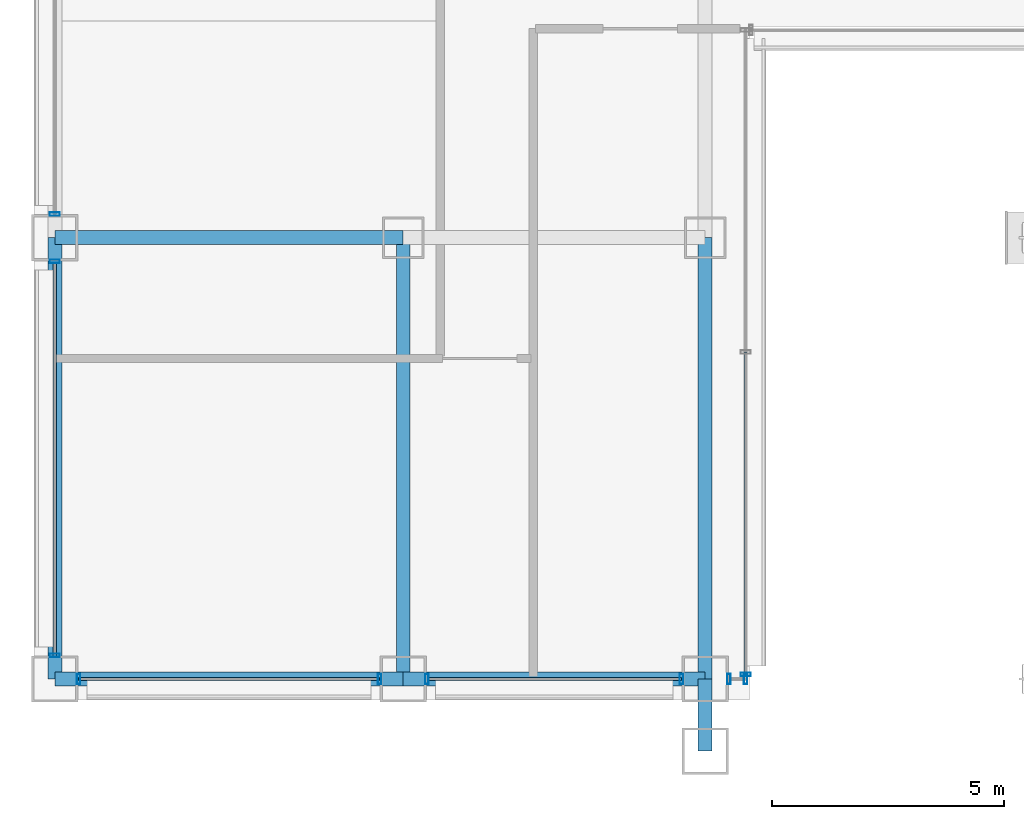
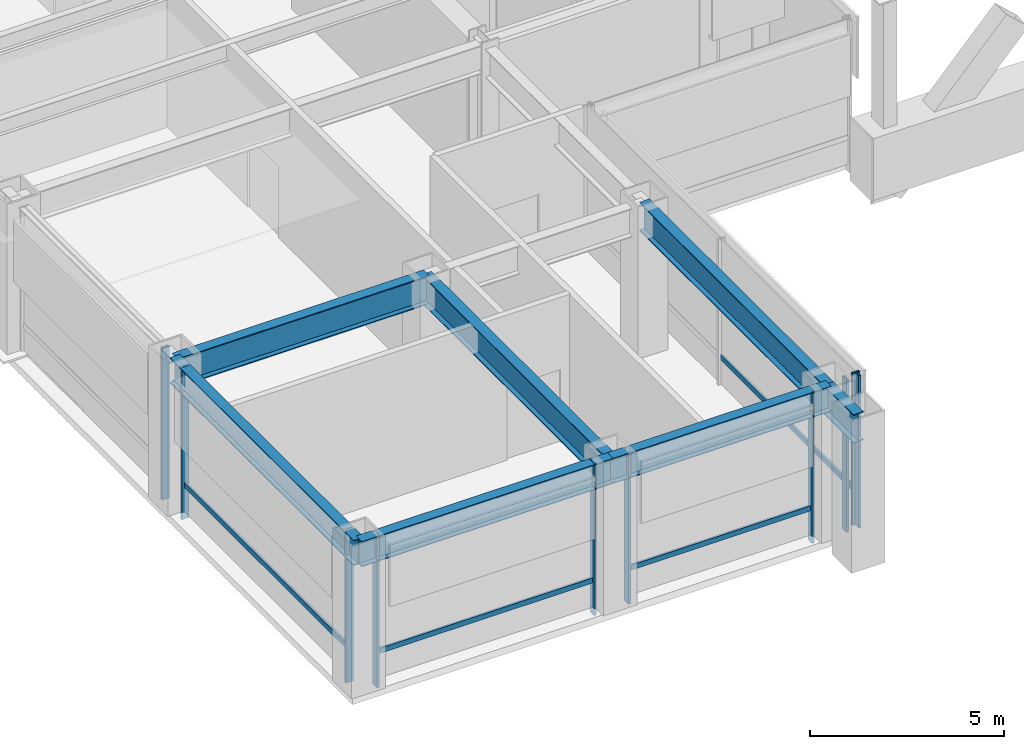
# One storey, part 2 of 42: 14 members, 7 beams, 6 elements without a shape of their own.
"""IFC4 building model written with IfcOpenShell, lengths in metres."""

import ifcopenshell
import ifcopenshell.guid

model = None  # the IFC model being written
_history = None  # IfcOwnerHistory: only IFC2X3 demands one
_inside = {}  # id of a spatial element -> (the spatial element, [elements in it])
_under = {}  # id of a project, library or spatial element -> (it, [spatial elements below it])
_declared = {}  # id of a project -> (the project, [libraries it declares])
_typed = {}  # id of a type object -> (the type object, [elements of that type])
_made_of = {}  # id of a material, layer set ... -> (it, [elements and type objects made of it])


def new_model(schema):
    """Start an empty IFC model of exactly this schema.

    Asked for "IFC4X3", IfcOpenShell would pick the latest addendum, in which some entities
    have other attributes; the version numbers below select the first issue.
    IFC2X3 requires an IfcOwnerHistory on every rooted entity: one is made here for all.
    """
    global model, _history
    if schema == "IFC4X3":
        model = ifcopenshell.file(schema_version=(4, 3, 0, 0))
    else:
        model = ifcopenshell.file(schema=schema)
    _inside.clear()
    _under.clear()
    _declared.clear()
    _typed.clear()
    _made_of.clear()
    _history = None
    if model.schema == "IFC2X3":
        org = make("IfcOrganization", Name="unknown")
        user = make(
            "IfcPersonAndOrganization",
            ThePerson=make("IfcPerson", FamilyName="unknown"),
            TheOrganization=org,
        )
        app = make(
            "IfcApplication",
            ApplicationDeveloper=org,
            Version="unknown",
            ApplicationFullName="unknown",
            ApplicationIdentifier="unknown",
        )
        _history = make(
            "IfcOwnerHistory",
            OwningUser=user,
            OwningApplication=app,
            ChangeAction="ADDED",
            CreationDate=0,
        )
    return model


def make(cls, **values):
    """One entity of the class cls with the attributes given. An attribute that is None is left unset."""
    return model.create_entity(
        cls, **{name: value for name, value in values.items() if value is not None}
    )


def rooted(cls, **values):
    """An entity with a GlobalId (a new one), such as an element, a storey or a relation."""
    return make(cls, GlobalId=ifcopenshell.guid.new(), OwnerHistory=_history, **values)


def si_unit(unit_type, name, prefix=None):
    """IfcSIUnit, for example si_unit("LENGTHUNIT", "METRE", prefix="MILLI")."""
    return make("IfcSIUnit", UnitType=unit_type, Prefix=prefix, Name=name)


def assignment(units):
    """IfcUnitAssignment: the units of a project."""
    return None if units is None else make("IfcUnitAssignment", Units=units)


def point(xyz):
    """IfcCartesianPoint."""
    return None if xyz is None else make("IfcCartesianPoint", Coordinates=xyz)


def direction(xyz):
    """IfcDirection."""
    return None if xyz is None else make("IfcDirection", DirectionRatios=xyz)


def frame(location, z_axis=None, x_axis=None):
    """IfcAxis2Placement3D, a coordinate frame: its origin and axes. An axis left out is left unset."""
    return make(
        "IfcAxis2Placement3D",
        Location=point(location),
        Axis=direction(z_axis),
        RefDirection=direction(x_axis),
    )


def frame_2d(location, x_axis=None):
    """IfcAxis2Placement2D, a coordinate frame in the plane: its origin and x axis."""
    return make(
        "IfcAxis2Placement2D", Location=point(location), RefDirection=direction(x_axis)
    )


def origin():
    """The frame at (0, 0, 0) with its axes left unset."""
    return frame((0.0, 0.0, 0.0))


def origin_2d():
    """The frame at (0, 0) in the plane with its x axis left unset."""
    return frame_2d((0.0, 0.0))


def place(relative_to, where):
    """IfcLocalPlacement: puts the frame where relative to a parent placement (None: the world)."""
    return make(
        "IfcLocalPlacement", PlacementRelTo=relative_to, RelativePlacement=where
    )


def context(
    kind, dimensions, precision=None, world=None, true_north=None, identifier=None
):
    """IfcGeometricRepresentationContext, for example the 3D "Model" context."""
    return make(
        "IfcGeometricRepresentationContext",
        ContextIdentifier=identifier,
        ContextType=kind,
        CoordinateSpaceDimension=dimensions,
        Precision=precision,
        WorldCoordinateSystem=world,
        TrueNorth=true_north,
    )


def subcontext(parent, identifier, kind, view, scale=None):
    """IfcGeometricRepresentationSubContext, for example "Body" below "Model"."""
    return make(
        "IfcGeometricRepresentationSubContext",
        ContextIdentifier=identifier,
        ContextType=kind,
        ParentContext=parent,
        TargetScale=scale,
        TargetView=view,
    )


def project(units=None, contexts=None):
    """IfcProject with its units and contexts."""
    return rooted(
        "IfcProject",
        Name="project",
        RepresentationContexts=contexts,
        UnitsInContext=assignment(units),
    )


def spatial(cls, under=None, at=None, **own):
    """A site, building, storey or space (cls), placed at a placement, below another one or the project."""
    s = rooted(cls, ObjectPlacement=at, **own)
    if under is not None:
        _under.setdefault(under.id(), (under, []))[1].append(s)
    return s


def profile(cls, at=None, kind="AREA", **sizes):
    """A parametric profile (cls). Its sizes go by their IFC names, for example OverallWidth=200.0."""
    return make(cls, ProfileType=kind, Position=at, **sizes)


def hollow_rectangle(**sizes):
    """IfcRectangleHollowProfileDef."""
    return profile("IfcRectangleHollowProfileDef", **sizes)


def i_section(**sizes):
    """IfcIShapeProfileDef."""
    return profile("IfcIShapeProfileDef", **sizes)


def extrude(swept, where, along, depth):
    """IfcExtrudedAreaSolid: the profile swept, set in the frame where, extruded along a direction by depth."""
    return make(
        "IfcExtrudedAreaSolid",
        SweptArea=swept,
        Position=where,
        ExtrudedDirection=direction(along),
        Depth=depth,
    )


def shape(context_of_items, identifier, shape_type, items):
    """IfcShapeRepresentation: the items that make up one representation, for example the "Body"."""
    return make(
        "IfcShapeRepresentation",
        ContextOfItems=context_of_items,
        RepresentationIdentifier=identifier,
        RepresentationType=shape_type,
        Items=items,
    )


def material(Name=None, Category=None):
    """IfcMaterial."""
    return make("IfcMaterial", Name=Name, Category=Category)


def layer(
    of_material, thickness, ventilated=None, Name=None, Category=None, Priority=None
):
    """IfcMaterialLayer: one layer of a wall or slab, of a material (None: an air gap)."""
    return make(
        "IfcMaterialLayer",
        Material=of_material,
        LayerThickness=thickness,
        IsVentilated=ventilated,
        Name=Name,
        Category=Category,
        Priority=Priority,
    )


def layer_set(layers, Name=None):
    """IfcMaterialLayerSet."""
    return make("IfcMaterialLayerSet", MaterialLayers=layers, LayerSetName=Name)


def material_profile(
    of_material, cross_section, Name=None, Category=None, Priority=None
):
    """IfcMaterialProfile: a cross section and its material."""
    return make(
        "IfcMaterialProfile",
        Name=Name,
        Material=of_material,
        Profile=cross_section,
        Priority=Priority,
        Category=Category,
    )


def profile_set(profiles, Name=None, composite=None):
    """IfcMaterialProfileSet."""
    return make(
        "IfcMaterialProfileSet",
        Name=Name,
        MaterialProfiles=profiles,
        CompositeProfile=composite,
    )


def made_of(thing, what):
    """Note that an element or type object is made of a material, layer set ...; save() writes the relation."""
    if what is not None:
        _made_of.setdefault(what.id(), (what, []))[1].append(thing)
    return thing


def type_object(cls, material=None, **own):
    """A type object (cls), such as IfcWallType, which elements share."""
    return made_of(rooted(cls, **own), material)


def element(
    cls,
    number,
    at=None,
    inside=None,
    cuts=None,
    type_object=None,
    material=None,
    context=None,
    identifier="Body",
    shape_type=None,
    held_by="IfcProductDefinitionShape",
    body=None,
    shapes=None,
    **own,
):
    """One element of the class cls, such as IfcWall. Its Tag is "e" and its number.

    at: its placement. inside: the storey or other place that contains it. cuts: it is an
    opening in that element (IfcRelVoidsElement). A single representation is given by context,
    identifier, shape_type and body (its items); several are given by shapes. held_by: the class
    of the entity that holds the representations. save() writes the other relations.
    """
    e = rooted(cls, Tag="e%d" % number, ObjectPlacement=at, **own)
    if body is not None:
        shapes = [shape(context, identifier, shape_type, body)]
    if shapes is not None:
        e.Representation = make(held_by, Representations=shapes)
    if inside is not None:
        _inside.setdefault(inside.id(), (inside, []))[1].append(e)
    if cuts is not None:
        rooted(
            "IfcRelVoidsElement", RelatingBuildingElement=cuts, RelatedOpeningElement=e
        )
    if type_object is not None:
        _typed.setdefault(type_object.id(), (type_object, []))[1].append(e)
    return made_of(e, material)


def aggregate(whole, parts):
    """IfcRelAggregates: a whole, such as a stair, and the parts it consists of."""
    return rooted("IfcRelAggregates", RelatingObject=whole, RelatedObjects=parts)


def save(model, path):
    """Write the relations noted so far, then the file.

    IfcRelAggregates (storeys below a building ...), IfcRelContainedInSpatialStructure (elements
    in a storey), IfcRelDefinesByType, IfcRelAssociatesMaterial and IfcRelDeclares: one each for
    every whole, place, type object, material and project.
    """
    for whole, parts in _under.values():
        aggregate(whole, parts)
    for where, things in _inside.values():
        rooted(
            "IfcRelContainedInSpatialStructure",
            RelatedElements=things,
            RelatingStructure=where,
        )
    for kind, things in _typed.values():
        rooted("IfcRelDefinesByType", RelatedObjects=things, RelatingType=kind)
    for what, things in _made_of.values():
        rooted("IfcRelAssociatesMaterial", RelatedObjects=things, RelatingMaterial=what)
    for by, libraries in _declared.values():
        rooted("IfcRelDeclares", RelatingContext=by, RelatedDefinitions=libraries)
    model.write(path)


model = new_model("IFC4")

# Units and contexts
model_context = context("Model", 3, precision=1e-05, world=origin(), true_north=direction((0.0, 1.0)))
body_context = subcontext(model_context, "Body", "Model", "MODEL_VIEW")
ifc_project = project(units=[si_unit("LENGTHUNIT", "METRE"), si_unit("AREAUNIT", "SQUARE_METRE"), si_unit("VOLUMEUNIT", "CUBIC_METRE"), si_unit("PLANEANGLEUNIT", "RADIAN"), si_unit("MASSUNIT", "GRAM", prefix="KILO")], contexts=[model_context])

# Site, building, storey
site_placement = place(None, origin())
site = spatial("IfcSite", under=ifc_project, at=site_placement, CompositionType="ELEMENT")
building_placement = place(site_placement, origin())
building = spatial("IfcBuilding", under=site, at=building_placement, Name="Brelmoor Portico Tower", CompositionType="ELEMENT")
storey_placement = place(building_placement, frame((0.0, 0.0, 9.60009765625)))
storey = spatial("IfcBuildingStorey", under=building, at=storey_placement, Name="L02", CompositionType="ELEMENT", Elevation=9.60009765625)

# Beams
ifc_material_1 = material(Name="Steel Q355B", Category="steel")
ifc_material_profile_1 = material_profile(ifc_material_1, i_section(OverallWidth=0.300048828125, OverallDepth=0.89990234375, WebThickness=0.01611328125, FlangeThickness=0.028076171875, at=origin_2d()), Name="HN 900x300x16x28")
ifc_profile_set_1 = profile_set([ifc_material_profile_1], Name="Steel Q355B")
beam_type_1 = type_object("IfcBeamType", Name="BM-PG-900", PredefinedType="BEAM", material=ifc_profile_set_1)
beam_1_placement = place(storey_placement, frame((-21.050048828125, -27.550048828125, 4.1298828125), z_axis=(0.0, 1.0, 0.0), x_axis=(-1.0, 0.0, 0.0)))
element("IfcBeam", 1, at=beam_1_placement, inside=storey, type_object=beam_type_1, Name="L02 Primary Floor Girder PG-01", PredefinedType="BEAM", context=body_context, shape_type="SweptSolid", body=[
    extrude(i_section(OverallWidth=0.300048828125, OverallDepth=0.89990234375, WebThickness=0.01611328125, FlangeThickness=0.028076171875, at=origin_2d()), origin(), (0.0, 0.0, 1.0), 9.5),
])
beam_2_placement = place(storey_placement, frame((-14.550048828125, -29.10009765625, 4.1298828125), z_axis=(0.0, 1.0, 0.0), x_axis=(-1.0, 0.0, 0.0)))
element("IfcBeam", 2, at=beam_2_placement, inside=storey, type_object=beam_type_1, Name="L02 Primary Floor Girder PG-03", PredefinedType="BEAM", context=body_context, shape_type="SweptSolid", body=[
    extrude(i_section(OverallWidth=0.300048828125, OverallDepth=0.89990234375, WebThickness=0.01611328125, FlangeThickness=0.028076171875, at=origin_2d()), origin(), (0.0, 0.0, 1.0), 1.550048828125),
])
beam_3_placement = place(storey_placement, frame((-14.550048828125, -27.550048828125, 4.1298828125), z_axis=(0.0, 1.0, 0.0), x_axis=(-1.0, 0.0, 0.0)))
element("IfcBeam", 3, at=beam_3_placement, inside=storey, type_object=beam_type_1, Name="L02 Primary Floor Girder PG-04", PredefinedType="BEAM", context=body_context, shape_type="SweptSolid", body=[
    extrude(i_section(OverallWidth=0.300048828125, OverallDepth=0.89990234375, WebThickness=0.01611328125, FlangeThickness=0.028076171875, at=origin_2d()), origin(), (0.0, 0.0, 1.0), 9.5),
])
beam_4_placement = place(storey_placement, frame((-28.550048828125, -18.050048828125, 4.1298828125), z_axis=(1.0, 0.0, 0.0), x_axis=(0.0, 1.0, 0.0)))
element("IfcBeam", 4, at=beam_4_placement, inside=storey, type_object=beam_type_1, Name="L02 Primary Floor Girder PG-21", PredefinedType="BEAM", context=body_context, shape_type="SweptSolid", body=[
    extrude(i_section(OverallWidth=0.300048828125, OverallDepth=0.89990234375, WebThickness=0.01611328125, FlangeThickness=0.028076171875, at=origin_2d()), origin(), (0.0, 0.0, 1.0), 7.5),
])
ifc_material_profile_2 = material_profile(ifc_material_1, i_section(OverallWidth=0.300048828125, OverallDepth=0.800048828125, WebThickness=0.013916015625, FlangeThickness=0.02587890625, at=origin_2d()), Name="HN 800x300x14x26")
ifc_profile_set_2 = profile_set([ifc_material_profile_2], Name="Steel Q355B")
beam_type_2 = type_object("IfcBeamType", Name="BM-SP-800", PredefinedType="SPANDREL", material=ifc_profile_set_2)
beam_5_placement = place(storey_placement, frame((-28.550048828125, -27.550048828125, 4.179931640625), z_axis=(1.0, 0.0, 0.0), x_axis=(0.0, 1.0, 0.0)))
element("IfcBeam", 5, at=beam_5_placement, inside=storey, type_object=beam_type_2, Name="L02 Perimeter Spandrel Beam SP-01", PredefinedType="SPANDREL", context=body_context, shape_type="SweptSolid", body=[
    extrude(i_section(OverallWidth=0.300048828125, OverallDepth=0.800048828125, WebThickness=0.013916015625, FlangeThickness=0.02587890625, at=origin_2d()), origin(), (0.0, 0.0, 1.0), 7.5),
])
beam_6_placement = place(storey_placement, frame((-21.050048828125, -27.550048828125, 4.179931640625), z_axis=(1.0, 0.0, 0.0), x_axis=(0.0, 1.0, 0.0)))
element("IfcBeam", 6, at=beam_6_placement, inside=storey, type_object=beam_type_2, Name="L02 Perimeter Spandrel Beam SP-02", PredefinedType="SPANDREL", context=body_context, shape_type="SweptSolid", body=[
    extrude(i_section(OverallWidth=0.300048828125, OverallDepth=0.800048828125, WebThickness=0.013916015625, FlangeThickness=0.02587890625, at=origin_2d()), origin(), (0.0, 0.0, 1.0), 6.5),
])
beam_7_placement = place(storey_placement, frame((-28.550048828125, -27.550048828125, 4.179931640625), z_axis=(0.0, 1.0, 0.0), x_axis=(-1.0, 0.0, 0.0)))
element("IfcBeam", 7, at=beam_7_placement, inside=storey, type_object=beam_type_2, Name="L02 Perimeter Spandrel Beam SP-09", PredefinedType="SPANDREL", context=body_context, shape_type="SweptSolid", body=[
    extrude(i_section(OverallWidth=0.300048828125, OverallDepth=0.800048828125, WebThickness=0.013916015625, FlangeThickness=0.02587890625, at=origin_2d()), origin(), (0.0, 0.0, 1.0), 9.5),
])

# Curtain wall, members
ifc_material_2 = material(Name="Anodised Aluminium Alloy 6063-T6", Category="aluminium")
ifc_layer = layer(ifc_material_2, 0.179931640625)
ifc_layer_set = layer_set([ifc_layer], Name="Anodised Aluminium Alloy 6063-T6")
curtain_wall_type = type_object("IfcCurtainWallType", Name="CW-PODIUM-ARCH", PredefinedType="NOTDEFINED", material=ifc_layer_set)
curtain_wall_1_placement = place(storey_placement, origin())
curtain_wall_1 = element("IfcCurtainWall", 8, at=curtain_wall_1_placement, inside=storey, type_object=curtain_wall_type, Name="L02 Curtain Wall CW-L02-01-1", PredefinedType="NOTDEFINED")
ifc_material_profile_3 = material_profile(ifc_material_2, hollow_rectangle(XDim=0.074951171875, YDim=0.219970703125, WallThickness=0.0048828125, at=origin_2d()), Name="ALU MULLION 75x220")
ifc_profile_set_3 = profile_set([ifc_material_profile_3], Name="Anodised Aluminium Alloy 6063-T6")
member_type_1 = type_object("IfcMemberType", Name="MB-CW-MULL-220", PredefinedType="MULLION", material=ifc_profile_set_3)
member_1_placement = place(storey_placement, frame((-28.0400390625, -27.550048828125, -0.22021484375), z_axis=(0.0, 0.0, 1.0), x_axis=(1.0, 0.0, 0.0)))
member_1 = element("IfcMember", 9, at=member_1_placement, type_object=member_type_1, Name="CW-L02-01-1 Mullion 00", PredefinedType="MULLION", context=body_context, shape_type="SweptSolid", body=[
    extrude(hollow_rectangle(XDim=0.074951171875, YDim=0.219970703125, WallThickness=0.0048828125, at=origin_2d()), origin(), (0.0, 0.0, 1.0), 4.800048828125),
])
member_2_placement = place(storey_placement, frame((-21.56005859375, -27.550048828125, -0.22021484375), z_axis=(0.0, 0.0, 1.0), x_axis=(1.0, 0.0, 0.0)))
member_2 = element("IfcMember", 10, at=member_2_placement, type_object=member_type_1, Name="CW-L02-01-1 Mullion 01", PredefinedType="MULLION", context=body_context, shape_type="SweptSolid", body=[
    extrude(hollow_rectangle(XDim=0.074951171875, YDim=0.219970703125, WallThickness=0.0048828125, at=origin_2d()), origin(), (0.0, 0.0, 1.0), 4.800048828125),
])

curtain_wall_2_placement = place(storey_placement, origin())
curtain_wall_2 = element("IfcCurtainWall", 11, at=curtain_wall_2_placement, inside=storey, type_object=curtain_wall_type, Name="L02 Curtain Wall CW-L02-01-2", PredefinedType="NOTDEFINED")
member_3_placement = place(storey_placement, frame((-20.5400390625, -27.550048828125, -0.22021484375), z_axis=(0.0, 0.0, 1.0), x_axis=(1.0, 0.0, 0.0)))
member_3 = element("IfcMember", 12, at=member_3_placement, type_object=member_type_1, Name="CW-L02-01-2 Mullion 00", PredefinedType="MULLION", context=body_context, shape_type="SweptSolid", body=[
    extrude(hollow_rectangle(XDim=0.074951171875, YDim=0.219970703125, WallThickness=0.0048828125, at=origin_2d()), origin(), (0.0, 0.0, 1.0), 4.800048828125),
])
member_4_placement = place(storey_placement, frame((-15.06005859375, -27.550048828125, -0.22021484375), z_axis=(0.0, 0.0, 1.0), x_axis=(1.0, 0.0, 0.0)))
member_4 = element("IfcMember", 13, at=member_4_placement, type_object=member_type_1, Name="CW-L02-01-2 Mullion 01", PredefinedType="MULLION", context=body_context, shape_type="SweptSolid", body=[
    extrude(hollow_rectangle(XDim=0.074951171875, YDim=0.219970703125, WallThickness=0.0048828125, at=origin_2d()), origin(), (0.0, 0.0, 1.0), 4.800048828125),
])

curtain_wall_3_placement = place(storey_placement, origin())
curtain_wall_3 = element("IfcCurtainWall", 14, at=curtain_wall_3_placement, inside=storey, type_object=curtain_wall_type, Name="L02 Curtain Wall CW-L02-01-3", PredefinedType="NOTDEFINED")
member_5_placement = place(storey_placement, frame((-14.0400390625, -27.550048828125, -0.22021484375), z_axis=(0.0, 0.0, 1.0), x_axis=(1.0, 0.0, 0.0)))
member_5 = element("IfcMember", 15, at=member_5_placement, type_object=member_type_1, Name="CW-L02-01-3 Mullion 00", PredefinedType="MULLION", context=body_context, shape_type="SweptSolid", body=[
    extrude(hollow_rectangle(XDim=0.074951171875, YDim=0.219970703125, WallThickness=0.0048828125, at=origin_2d()), origin(), (0.0, 0.0, 1.0), 4.800048828125),
])
member_6_placement = place(storey_placement, frame((-13.679931640625, -27.550048828125, -0.22021484375), z_axis=(0.0, 0.0, 1.0), x_axis=(1.0, 0.0, 0.0)))
member_6 = element("IfcMember", 16, at=member_6_placement, type_object=member_type_1, Name="CW-L02-01-3 Mullion 01", PredefinedType="MULLION", context=body_context, shape_type="SweptSolid", body=[
    extrude(hollow_rectangle(XDim=0.074951171875, YDim=0.219970703125, WallThickness=0.0048828125, at=origin_2d()), origin(), (0.0, 0.0, 1.0), 4.800048828125),
])
aggregate(curtain_wall_3, [member_5, member_6])

curtain_wall_4_placement = place(storey_placement, origin())
curtain_wall_4 = element("IfcCurtainWall", 17, at=curtain_wall_4_placement, inside=storey, type_object=curtain_wall_type, Name="L02 Curtain Wall CW-L02-05-1", PredefinedType="NOTDEFINED")
member_7_placement = place(storey_placement, frame((-28.550048828125, -27.0400390625, -0.22021484375), z_axis=(0.0, 0.0, 1.0), x_axis=(0.0, 1.0, 0.0)))
member_7 = element("IfcMember", 18, at=member_7_placement, type_object=member_type_1, Name="CW-L02-05-1 Mullion 00", PredefinedType="MULLION", context=body_context, shape_type="SweptSolid", body=[
    extrude(hollow_rectangle(XDim=0.074951171875, YDim=0.219970703125, WallThickness=0.0048828125, at=origin_2d()), origin(), (0.0, 0.0, 1.0), 4.800048828125),
])
member_8_placement = place(storey_placement, frame((-28.550048828125, -18.56005859375, -0.22021484375), z_axis=(0.0, 0.0, 1.0), x_axis=(0.0, 1.0, 0.0)))
member_8 = element("IfcMember", 19, at=member_8_placement, type_object=member_type_1, Name="CW-L02-05-1 Mullion 01", PredefinedType="MULLION", context=body_context, shape_type="SweptSolid", body=[
    extrude(hollow_rectangle(XDim=0.074951171875, YDim=0.219970703125, WallThickness=0.0048828125, at=origin_2d()), origin(), (0.0, 0.0, 1.0), 4.800048828125),
])

# Curtain wall, member
curtain_wall_5_placement = place(storey_placement, origin())
curtain_wall_5 = element("IfcCurtainWall", 20, at=curtain_wall_5_placement, inside=storey, type_object=curtain_wall_type, Name="L02 Curtain Wall CW-L02-05-2", PredefinedType="NOTDEFINED")
member_9_placement = place(storey_placement, frame((-28.550048828125, -17.5400390625, -0.22021484375), z_axis=(0.0, 0.0, 1.0), x_axis=(0.0, 1.0, 0.0)))
member_9 = element("IfcMember", 21, at=member_9_placement, type_object=member_type_1, Name="CW-L02-05-2 Mullion 00", PredefinedType="MULLION", context=body_context, shape_type="SweptSolid", body=[
    extrude(hollow_rectangle(XDim=0.074951171875, YDim=0.219970703125, WallThickness=0.0048828125, at=origin_2d()), origin(), (0.0, 0.0, 1.0), 4.800048828125),
])
aggregate(curtain_wall_5, [member_9])

curtain_wall_6_placement = place(storey_placement, origin())
curtain_wall_6 = element("IfcCurtainWall", 22, at=curtain_wall_6_placement, inside=storey, type_object=curtain_wall_type, Name="L02 Curtain Wall CW-L02-07", PredefinedType="NOTDEFINED")
member_10_placement = place(storey_placement, frame((-13.679931640625, -27.449951171875, -0.22021484375), z_axis=(0.0, 0.0, 1.0), x_axis=(0.0, 1.0, 0.0)))
member_10 = element("IfcMember", 23, at=member_10_placement, type_object=member_type_1, Name="CW-L02-07 Mullion 00", PredefinedType="MULLION", context=body_context, shape_type="SweptSolid", body=[
    extrude(hollow_rectangle(XDim=0.074951171875, YDim=0.219970703125, WallThickness=0.0048828125, at=origin_2d()), origin(), (0.0, 0.0, 1.0), 4.800048828125),
])

# Member
ifc_material_profile_4 = material_profile(ifc_material_2, hollow_rectangle(XDim=0.070068359375, YDim=0.159912109375, WallThickness=0.00390625, at=origin_2d()), Name="ALU TRANSOM 70x160")
ifc_profile_set_4 = profile_set([ifc_material_profile_4], Name="Anodised Aluminium Alloy 6063-T6")
member_type_2 = type_object("IfcMemberType", Name="MB-CW-TRAN-160", PredefinedType="USERDEFINED", material=ifc_profile_set_4)
member_11_placement = place(storey_placement, frame((-28.0400390625, -27.550048828125, 0.849853515625), z_axis=(1.0, 0.0, 0.0), x_axis=(0.0, 1.0, 0.0)))
member_11 = element("IfcMember", 24, at=member_11_placement, type_object=member_type_2, Name="CW-L02-01-1 Transom 1-00", ObjectType="TRANSOM", PredefinedType="USERDEFINED", context=body_context, shape_type="SweptSolid", body=[
    extrude(hollow_rectangle(XDim=0.070068359375, YDim=0.159912109375, WallThickness=0.00390625, at=origin_2d()), origin(), (0.0, 0.0, 1.0), 6.47998046875),
])

aggregate(curtain_wall_1, [member_1, member_2, member_11])

member_12_placement = place(storey_placement, frame((-20.5400390625, -27.550048828125, 0.849853515625), z_axis=(1.0, 0.0, 0.0), x_axis=(0.0, 1.0, 0.0)))
member_12 = element("IfcMember", 25, at=member_12_placement, type_object=member_type_2, Name="CW-L02-01-2 Transom 1-00", ObjectType="TRANSOM", PredefinedType="USERDEFINED", context=body_context, shape_type="SweptSolid", body=[
    extrude(hollow_rectangle(XDim=0.070068359375, YDim=0.159912109375, WallThickness=0.00390625, at=origin_2d()), origin(), (0.0, 0.0, 1.0), 5.47998046875),
])

aggregate(curtain_wall_2, [member_3, member_4, member_12])

member_13_placement = place(storey_placement, frame((-28.550048828125, -27.0400390625, 0.849853515625), z_axis=(0.0, 1.0, 0.0), x_axis=(-1.0, 0.0, 0.0)))
member_13 = element("IfcMember", 26, at=member_13_placement, type_object=member_type_2, Name="CW-L02-05-1 Transom 1-00", ObjectType="TRANSOM", PredefinedType="USERDEFINED", context=body_context, shape_type="SweptSolid", body=[
    extrude(hollow_rectangle(XDim=0.070068359375, YDim=0.159912109375, WallThickness=0.00390625, at=origin_2d()), origin(), (0.0, 0.0, 1.0), 8.47998046875),
])

aggregate(curtain_wall_4, [member_7, member_8, member_13])

member_14_placement = place(storey_placement, frame((-13.679931640625, -27.449951171875, 0.849853515625), z_axis=(0.0, 1.0, 0.0), x_axis=(-1.0, 0.0, 0.0)))
member_14 = element("IfcMember", 27, at=member_14_placement, type_object=member_type_2, Name="CW-L02-07 Transom 1-00", ObjectType="TRANSOM", PredefinedType="USERDEFINED", context=body_context, shape_type="SweptSolid", body=[
    extrude(hollow_rectangle(XDim=0.070068359375, YDim=0.159912109375, WallThickness=0.00390625, at=origin_2d()), origin(), (0.0, 0.0, 1.0), 6.93505859375),
])

aggregate(curtain_wall_6, [member_10, member_14])

save(model, "model.ifc")
